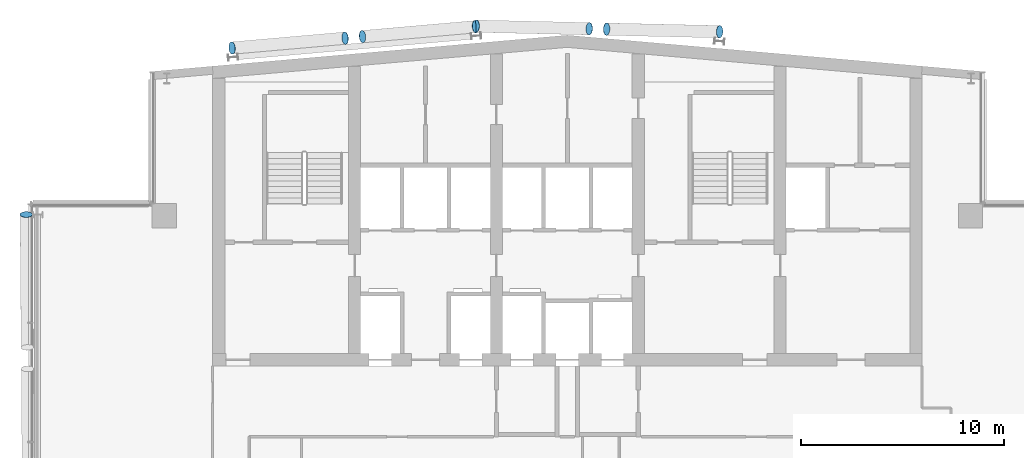
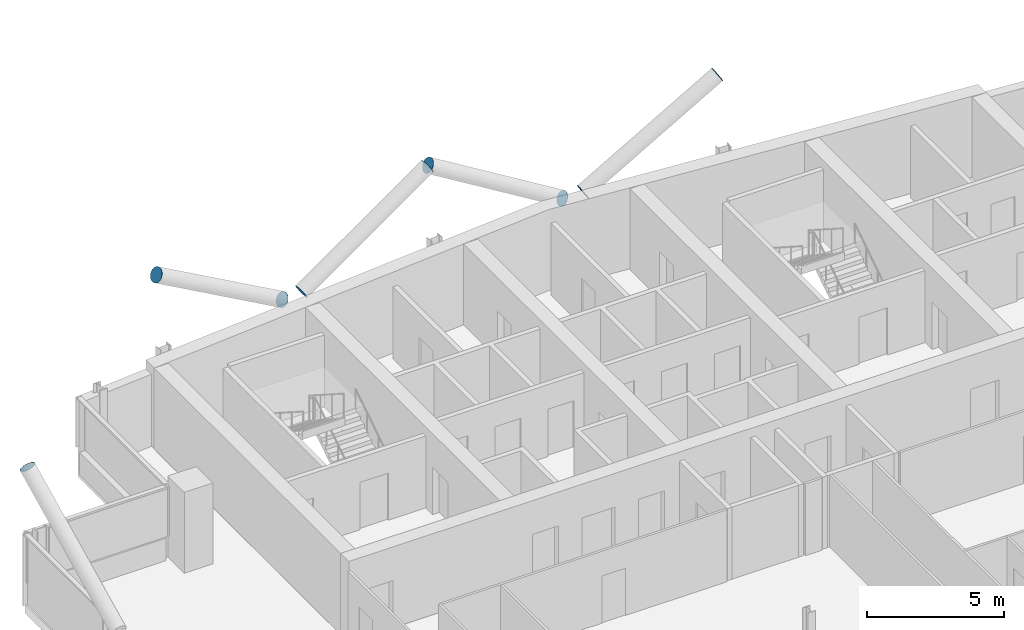
# One storey, part 22 of 26: 9 discrete accessories.
"""IFC4 building model written with IfcOpenShell, lengths in metres."""

from ifc_helpers import new_model, si_unit, direction, frame, origin, origin_2d, place, context, subcontext, project, spatial, circle, extrude, material, material_profile, profile_set, type_object, element, save


model = new_model("IFC4")

# Units and contexts
model_context = context("Model", 3, precision=1e-05, world=origin(), true_north=direction((0.0, 1.0)))
body_context = subcontext(model_context, "Body", "Model", "MODEL_VIEW")
ifc_project = project(units=[si_unit("LENGTHUNIT", "METRE"), si_unit("AREAUNIT", "SQUARE_METRE"), si_unit("VOLUMEUNIT", "CUBIC_METRE"), si_unit("PLANEANGLEUNIT", "RADIAN"), si_unit("MASSUNIT", "GRAM", prefix="KILO")], contexts=[model_context])

# Site, building, storey
site_placement = place(None, origin())
site = spatial("IfcSite", under=ifc_project, at=site_placement, CompositionType="ELEMENT")
building_placement = place(site_placement, origin())
building = spatial("IfcBuilding", under=site, at=building_placement, Name="Wharfspan Tower", CompositionType="ELEMENT")
storey_placement = place(building_placement, frame((0.0, 0.0, 235.899902)))
storey = spatial("IfcBuildingStorey", under=building, at=storey_placement, Name="L59", CompositionType="ELEMENT", Elevation=235.899902)

# Discrete accessories
ifc_material = material(Name="Steel S460NH", Category="steel")
ifc_material_profile = material_profile(ifc_material, circle(Radius=0.304932, at=origin_2d()))
ifc_profile_set = profile_set([ifc_material_profile], Name="Steel S460NH")
discrete_accessory_type = type_object("IfcDiscreteAccessoryType", Name="End plate CHS 610x25", PredefinedType="BRACKET", material=ifc_profile_set)
for number, where, z_axis, x_axis, name in (
    (1, (13.792969, 41.459717, 6.5), (0.0, 0.884385, 0.466759), (-1.0, 0.0, 0.0), "End plate CHS 610x25"),
    (2, (30.38501, 50.247314, 3.154785), (0.855186, 0.073302, 0.513112), (-0.085402, 0.996345, 1e-06), "End plate CHS 610x25"),
    (3, (35.960693, 50.735107, 6.5), (0.855186, 0.073302, 0.513112), (-0.085402, 0.996345, 1e-06), "End plate CHS 610x25"),
    (4, (29.536133, 50.172852, 3.154785), (-0.855186, -0.073302, 0.513112), (0.085402, -0.996345, 1e-06), "End plate CHS 610x25"),
    (5, (23.960693, 49.685059, 6.5), (-0.855186, -0.073302, 0.513112), (0.085402, -0.996345, 1e-06), "End plate CHS 610x25"),
    (6, (42.434326, 50.616943, 3.154541), (0.857236, -0.024492, 0.514341), (0.028558, 0.999591, 2e-06), "End plate CHS 610x25"),
    (7, (48.010254, 50.490234, 6.5), (0.857236, -0.024492, 0.514341), (0.028558, 0.999591, 2e-06), "End plate CHS 610x25"),
    (8, (41.586426, 50.63623, 3.154541), (-0.857236, 0.024492, 0.514341), (-0.028558, -0.999591, 2e-06), "End plate CHS 610x25"),
    (9, (36.010498, 50.762939, 6.5), (-0.857236, 0.024492, 0.514341), (-0.028558, -0.999591, 2e-06), "End plate CHS 610x25"),
):
    element("IfcDiscreteAccessory", number, at=place(storey_placement, frame(where, z_axis=z_axis, x_axis=x_axis)), inside=storey, type_object=discrete_accessory_type, Name=name, PredefinedType="BRACKET", context=body_context, shape_type="SweptSolid", body=[
        extrude(circle(Radius=0.304932, at=origin_2d()), origin(), (0.0, 0.0, 1.0), 0.01001),
    ])

save(model, "model.ifc")
